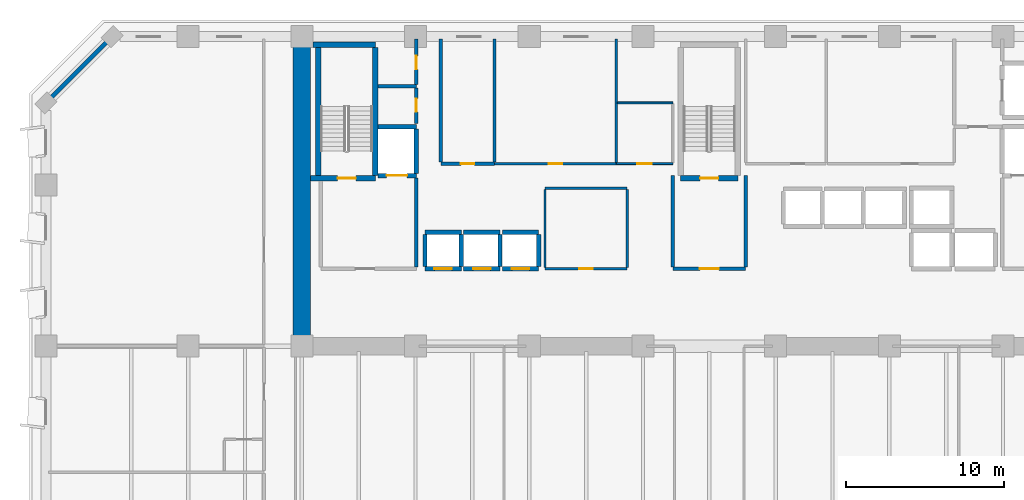
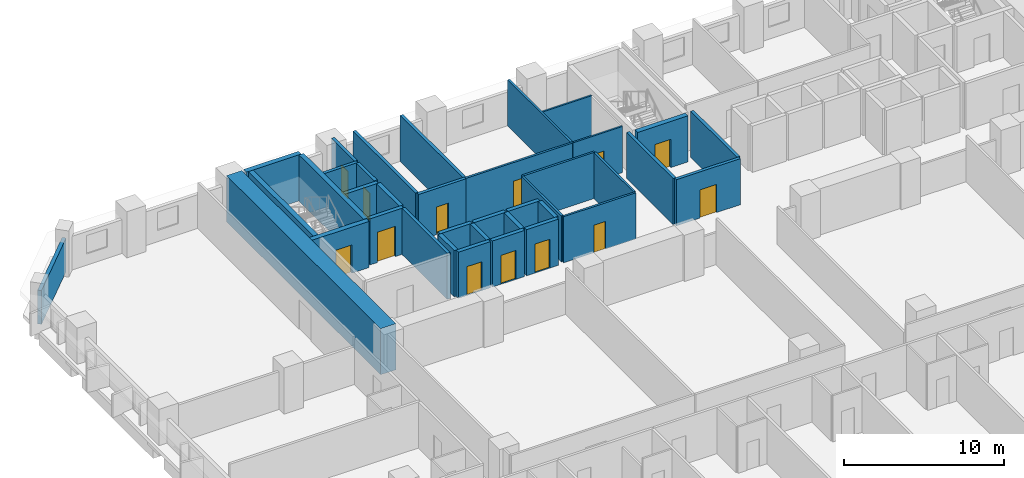
# One storey, part 7 of 15: 38 walls, 13 doors, 13 openings.
"""IFC4 building model written with IfcOpenShell, lengths in metres."""

from ifc_helpers import new_model, si_unit, direction, frame, frame_2d, origin, place, context, subcontext, project, spatial, rectangle, extrude, material, layer, layer_set, type_object, element, fill, save


model = new_model("IFC4")

# Units and contexts
model_context = context("Model", 3, precision=1e-05, world=origin(), true_north=direction((0.0, 1.0)))
body_context = subcontext(model_context, "Body", "Model", "MODEL_VIEW")
ifc_project = project(units=[si_unit("LENGTHUNIT", "METRE"), si_unit("AREAUNIT", "SQUARE_METRE"), si_unit("VOLUMEUNIT", "CUBIC_METRE"), si_unit("PLANEANGLEUNIT", "RADIAN"), si_unit("MASSUNIT", "GRAM", prefix="KILO")], contexts=[model_context])

# Site, building, storey
site_placement = place(None, origin())
site = spatial("IfcSite", under=ifc_project, at=site_placement, CompositionType="ELEMENT")
building_placement = place(site_placement, origin())
building = spatial("IfcBuilding", under=site, at=building_placement, Name="Kaelvorn Grand Hotel", CompositionType="ELEMENT")
storey_placement = place(building_placement, frame((0.0, 0.0, 53.89990234375)))
storey = spatial("IfcBuildingStorey", under=building, at=storey_placement, Name="L11", CompositionType="ELEMENT", Elevation=53.89990234375)

# Walls
ifc_material_1 = material(Name="Concrete C80/95", Category="concrete")
ifc_layer_1 = layer(ifc_material_1, 1.10009765625)
ifc_layer_set_1 = layer_set([ifc_layer_1], Name="Concrete C80/95")
wall_type_1 = type_object("IfcWallType", Name="WL-CORE-1100-C80", PredefinedType="SHEAR", material=ifc_layer_set_1)
wall_1_placement = place(storey_placement, frame((16.199951171875, 29.39990234375, 0.0), z_axis=(0.0, 0.0, 1.0), x_axis=(0.0, 1.0, 0.0)))
element("IfcWall", 1, at=wall_1_placement, inside=storey, type_object=wall_type_1, Name="L11 Rear-Core West Shear Wall", PredefinedType="SHEAR", context=body_context, shape_type="SweptSolid", body=[
    extrude(rectangle(XDim=19.2001953125, YDim=1.10009765625, at=frame_2d((9.60009765625, 0.0))), origin(), (0.0, 0.0, 1.0), 3.510009765625),
])
ifc_material_2 = material(Name="Concrete C40/50", Category="concrete")
ifc_layer_2 = layer(ifc_material_2, 0.260009765625)
ifc_layer_set_2 = layer_set([ifc_layer_2], Name="Concrete C40/50")
wall_type_2 = type_object("IfcWallType", Name="WL-EXT-260-C40", PredefinedType="SOLIDWALL", material=ifc_layer_set_2)
wall_2_placement = place(storey_placement, frame((4.199951171875, 49.0, 0.0), z_axis=(0.0, 0.0, 1.0), x_axis=(-0.707106781187, -0.707106781187, 0.0)))
element("IfcWall", 2, at=wall_2_placement, inside=storey, type_object=wall_type_2, Name="L11 Exterior Architectural Concrete Wall 06", PredefinedType="SOLIDWALL", context=body_context, shape_type="SweptSolid", body=[
    extrude(rectangle(XDim=5.939697265625, YDim=0.260009765625, at=frame_2d((2.9697265625, 0.0))), origin(), (0.0, 0.0, 1.0), 2.56005859375),
])

# Wall, opening, door
ifc_material_3 = material(Name="Moisture-Resistant Tile & Stud Board")
ifc_layer_3 = layer(ifc_material_3, 0.125)
ifc_layer_set_3 = layer_set([ifc_layer_3], Name="Moisture-Resistant Tile & Stud Board")
wall_type_3 = type_object("IfcWallType", Name="WL-PART-125-WET", PredefinedType="PARTITIONING", material=ifc_layer_set_3)
wall_3_placement = place(storey_placement, frame((36.110107421875, 40.949951171875, 0.0), z_axis=(0.0, 0.0, 1.0), x_axis=(1.0, 0.0, 0.0)))
wall_3 = element("IfcWall", 3, at=wall_3_placement, inside=storey, type_object=wall_type_3, Name="L11 Accessible WC S Partition", PredefinedType="PARTITIONING", context=body_context, shape_type="SweptSolid", body=[
    extrude(rectangle(XDim=3.58984375, YDim=0.125, at=frame_2d((1.794921875, 0.0))), origin(), (0.0, 0.0, 1.0), 3.510009765625),
])
opening_1_placement = place(wall_3_placement, frame((1.340087890625, 0.0, 0.0)))
opening_1 = element("IfcOpeningElement", 4, at=opening_1_placement, cuts=wall_3, Name="Opening DI4", PredefinedType="OPENING", context=body_context, shape_type="SweptSolid", body=[
    extrude(rectangle(XDim=0.89990234375, YDim=2.10009765625, at=frame_2d((0.449951171875, 1.050048828125))), frame((0.0, 0.072509765625, 0.0), z_axis=(0.0, -1.0, 0.0), x_axis=(1.0, 0.0, 0.0)), (0.0, 0.0, 1.0), 0.14501953125),
])
ifc_material_4 = material(Name="Timber Veneer Leaf", Category="wood")
door_type_1 = type_object("IfcDoorType", Name="DR-INT-BATH-900x2100", OperationType="NOTDEFINED", PredefinedType="DOOR", material=ifc_material_4)
door_1_placement = place(opening_1_placement, origin())
door_1 = element("IfcDoor", 5, at=door_1_placement, inside=storey, type_object=door_type_1, Name="L11 Accessible WC Door", OperationType="SINGLE_SWING_RIGHT", OverallHeight=2.10009765625, OverallWidth=0.89990234375, PredefinedType="DOOR", context=body_context, shape_type="SweptSolid", body=[
    extrude(rectangle(XDim=0.89990234375, YDim=2.10009765625, at=frame_2d((0.449951171875, 1.050048828125))), frame((0.0, 0.02490234375, 0.0), z_axis=(0.0, -1.0, 0.0), x_axis=(1.0, 0.0, 0.0)), (0.0, 0.0, 1.0), 0.050048828125),
])
fill(opening_1, door_1)

# Wall
wall_4_placement = place(storey_placement, frame((36.179931640625, 44.800048828125, 0.0), z_axis=(0.0, 0.0, 1.0), x_axis=(1.0, 0.0, 0.0)))
element("IfcWall", 6, at=wall_4_placement, inside=storey, type_object=wall_type_3, Name="L11 Accessible WC N Partition", PredefinedType="PARTITIONING", context=body_context, shape_type="SweptSolid", body=[
    extrude(rectangle(XDim=3.52001953125, YDim=0.125, at=frame_2d((1.760009765625, 0.0))), origin(), (0.0, 0.0, 1.0), 3.510009765625),
])

# Wall, opening, door
ifc_material_5 = material(Name="Acoustic Gypsum & Stud Partition")
ifc_layer_4 = layer(ifc_material_5, 0.14990234375)
ifc_layer_set_4 = layer_set([ifc_layer_4], Name="Acoustic Gypsum & Stud Partition")
wall_type_4 = type_object("IfcWallType", Name="WL-PART-150-EI60", PredefinedType="PARTITIONING", material=ifc_layer_set_4)
wall_5_placement = place(storey_placement, frame((31.60009765625, 34.300048828125, 0.0), z_axis=(0.0, 0.0, 1.0), x_axis=(1.0, 0.0, 0.0)))
wall_5 = element("IfcWall", 7, at=wall_5_placement, inside=storey, type_object=wall_type_4, Name="L11 Core Telecoms & BMS Server Room S Partition", PredefinedType="PARTITIONING", context=body_context, shape_type="SweptSolid", body=[
    extrude(rectangle(XDim=5.199951171875, YDim=0.14990234375, at=frame_2d((2.60009765625, 0.0))), origin(), (0.0, 0.0, 1.0), 3.510009765625),
])
opening_2_placement = place(wall_5_placement, frame((2.175048828125, 0.0, 0.0)))
opening_2 = element("IfcOpeningElement", 8, at=opening_2_placement, cuts=wall_5, Name="Opening DI7", PredefinedType="OPENING", context=body_context, shape_type="SweptSolid", body=[
    extrude(rectangle(XDim=0.85009765625, YDim=2.10009765625, at=frame_2d((0.425048828125, 1.050048828125))), frame((0.0, 0.0849609375, 0.0), z_axis=(0.0, -1.0, 0.0), x_axis=(1.0, 0.0, 0.0)), (0.0, 0.0, 1.0), 0.169921875),
])
ifc_material_6 = material(Name="Powder-Coated Steel Leaf", Category="steel")
door_type_2 = type_object("IfcDoorType", Name="DR-INT-RISER-850x2100", OperationType="NOTDEFINED", PredefinedType="DOOR", material=ifc_material_6)
door_2_placement = place(opening_2_placement, origin())
door_2 = element("IfcDoor", 9, at=door_2_placement, inside=storey, type_object=door_type_2, Name="L11 Core Telecoms & BMS Server Room Door", OperationType="SINGLE_SWING_LEFT", OverallHeight=2.10009765625, OverallWidth=0.85009765625, PredefinedType="DOOR", context=body_context, shape_type="SweptSolid", body=[
    extrude(rectangle(XDim=0.85009765625, YDim=2.10009765625, at=frame_2d((0.425048828125, 1.050048828125))), frame((0.0, 0.02490234375, 0.0), z_axis=(0.0, -1.0, 0.0), x_axis=(1.0, 0.0, 0.0)), (0.0, 0.0, 1.0), 0.050048828125),
])
fill(opening_2, door_2)

# Walls
wall_6_placement = place(storey_placement, frame((31.60009765625, 39.39990234375, 0.0), z_axis=(0.0, 0.0, 1.0), x_axis=(1.0, 0.0, 0.0)))
element("IfcWall", 10, at=wall_6_placement, inside=storey, type_object=wall_type_4, Name="L11 Core Telecoms & BMS Server Room N Partition", PredefinedType="PARTITIONING", context=body_context, shape_type="SweptSolid", body=[
    extrude(rectangle(XDim=5.199951171875, YDim=0.14990234375, at=frame_2d((2.60009765625, 0.0))), origin(), (0.0, 0.0, 1.0), 3.510009765625),
])
for number, where, z_axis, x_axis, name in (
    (11, (31.60009765625, 34.3798828125, 0.0), (0.0, 0.0, 1.0), (0.0, 1.0, 0.0), "L11 Core Telecoms & BMS Server Room W Partition"),
    (12, (36.800048828125, 34.3798828125, 0.0), (0.0, 0.0, 1.0), (0.0, 1.0, 0.0), "L11 Core Telecoms & BMS Server Room E Partition"),
):
    element("IfcWall", number, at=place(storey_placement, frame(where, z_axis=z_axis, x_axis=x_axis)), inside=storey, type_object=wall_type_4, Name=name, PredefinedType="PARTITIONING", context=body_context, shape_type="SweptSolid", body=[
        extrude(rectangle(XDim=4.940185546875, YDim=0.14990234375, at=frame_2d((2.47021484375, 0.0))), origin(), (0.0, 0.0, 1.0), 3.510009765625),
    ])

# Wall, opening, door
wall_7_placement = place(storey_placement, frame((28.409912109375, 40.949951171875, 0.0), z_axis=(0.0, 0.0, 1.0), x_axis=(1.0, 0.0, 0.0)))
wall_7 = element("IfcWall", 13, at=wall_7_placement, inside=storey, type_object=wall_type_4, Name="L11 Housekeeping & Linen Room S Partition", PredefinedType="PARTITIONING", context=body_context, shape_type="SweptSolid", body=[
    extrude(rectangle(XDim=7.690185546875, YDim=0.14990234375, at=frame_2d((3.84521484375, 0.0))), origin(), (0.0, 0.0, 1.0), 3.510009765625),
])
opening_3_placement = place(wall_7_placement, frame((3.4150390625, 0.0, 0.0)))
opening_3 = element("IfcOpeningElement", 14, at=opening_3_placement, cuts=wall_7, Name="Opening DI7", PredefinedType="OPENING", context=body_context, shape_type="SweptSolid", body=[
    extrude(rectangle(XDim=0.85009765625, YDim=2.10009765625, at=frame_2d((0.425048828125, 1.050048828125))), frame((0.0, 0.0849609375, 0.0), z_axis=(0.0, -1.0, 0.0), x_axis=(1.0, 0.0, 0.0)), (0.0, 0.0, 1.0), 0.169921875),
])
door_3_placement = place(opening_3_placement, origin())
door_3 = element("IfcDoor", 15, at=door_3_placement, inside=storey, type_object=door_type_2, Name="L11 Housekeeping & Linen Room Door", OperationType="SINGLE_SWING_LEFT", OverallHeight=2.10009765625, OverallWidth=0.85009765625, PredefinedType="DOOR", context=body_context, shape_type="SweptSolid", body=[
    extrude(rectangle(XDim=0.85009765625, YDim=2.10009765625, at=frame_2d((0.425048828125, 1.050048828125))), frame((0.0, 0.02490234375, 0.0), z_axis=(0.0, -1.0, 0.0), x_axis=(1.0, 0.0, 0.0)), (0.0, 0.0, 1.0), 0.050048828125),
])
fill(opening_3, door_3)

# Walls
wall_8_placement = place(storey_placement, frame((36.10009765625, 41.030029296875, 0.0), z_axis=(0.0, 0.0, 1.0), x_axis=(0.0, 1.0, 0.0)))
element("IfcWall", 16, at=wall_8_placement, inside=storey, type_object=wall_type_4, Name="L11 Housekeeping & Linen Room E Partition", PredefinedType="PARTITIONING", context=body_context, shape_type="SweptSolid", body=[
    extrude(rectangle(XDim=7.820068359375, YDim=0.14990234375, at=frame_2d((3.91015625, 0.0))), origin(), (0.0, 0.0, 1.0), 3.510009765625),
])
ifc_layer_5 = layer(ifc_material_2, 0.219970703125)
ifc_layer_set_5 = layer_set([ifc_layer_5], Name="Concrete C40/50")
wall_type_5 = type_object("IfcWallType", Name="WL-PART-220-EI120", PredefinedType="PARTITIONING", material=ifc_layer_set_5)
wall_9_placement = place(storey_placement, frame((23.449951171875, 34.4150390625, 0.0), z_axis=(0.0, 0.0, 1.0), x_axis=(0.0, 1.0, 0.0)))
element("IfcWall", 17, at=wall_9_placement, inside=storey, type_object=wall_type_5, Name="L11 Firefighting Lift Lobby 1 E Partition", PredefinedType="PARTITIONING", context=body_context, shape_type="SweptSolid", body=[
    extrude(rectangle(XDim=5.639892578125, YDim=0.219970703125, at=frame_2d((2.81982421875, 0.0))), origin(), (0.0, 0.0, 1.0), 3.510009765625),
])

# Wall, opening, door
wall_10_placement = place(storey_placement, frame((39.699951171875, 34.300048828125, 0.0), z_axis=(0.0, 0.0, 1.0), x_axis=(1.0, 0.0, 0.0)))
wall_10 = element("IfcWall", 18, at=wall_10_placement, inside=storey, type_object=wall_type_5, Name="L11 Central Stair Escape Vestibule S Partition", PredefinedType="PARTITIONING", context=body_context, shape_type="SweptSolid", body=[
    extrude(rectangle(XDim=4.60009765625, YDim=0.219970703125, at=frame_2d((2.300048828125, 0.0))), origin(), (0.0, 0.0, 1.0), 3.510009765625),
])
opening_4_placement = place(wall_10_placement, frame((1.699951171875, 0.0, 0.0)))
opening_4 = element("IfcOpeningElement", 19, at=opening_4_placement, cuts=wall_10, Name="Opening DI2", PredefinedType="OPENING", context=body_context, shape_type="SweptSolid", body=[
    extrude(rectangle(XDim=1.199951171875, YDim=2.14990234375, at=frame_2d((0.60009765625, 1.074951171875))), frame((0.0, 0.1201171875, 0.0), z_axis=(0.0, -1.0, 0.0), x_axis=(1.0, 0.0, 0.0)), (0.0, 0.0, 1.0), 0.239990234375),
])
ifc_material_7 = material(Name="Timber Veneer Fire Leaf", Category="wood")
door_type_3 = type_object("IfcDoorType", Name="DR-INT-FFLOB-1200x2150", OperationType="NOTDEFINED", PredefinedType="DOOR", material=ifc_material_7)
door_4_placement = place(opening_4_placement, origin())
door_4 = element("IfcDoor", 20, at=door_4_placement, inside=storey, type_object=door_type_3, Name="L11 Central Stair Escape Vestibule Door", OperationType="SINGLE_SWING_LEFT", OverallHeight=2.14990234375, OverallWidth=1.199951171875, PredefinedType="DOOR", context=body_context, shape_type="SweptSolid", body=[
    extrude(rectangle(XDim=1.199951171875, YDim=2.14990234375, at=frame_2d((0.60009765625, 1.074951171875))), frame((0.0, 0.02490234375, 0.0), z_axis=(0.0, -1.0, 0.0), x_axis=(1.0, 0.0, 0.0)), (0.0, 0.0, 1.0), 0.050048828125),
])
fill(opening_4, door_4)

# Walls
for number, where, z_axis, x_axis, name in (
    (21, (39.699951171875, 34.4150390625, 0.0), (0.0, 0.0, 1.0), (0.0, 1.0, 0.0), "L11 Central Stair Escape Vestibule W Partition"),
    (22, (44.300048828125, 34.4150390625, 0.0), (0.0, 0.0, 1.0), (0.0, 1.0, 0.0), "L11 Central Stair Escape Vestibule E Partition"),
):
    element("IfcWall", number, at=place(storey_placement, frame(where, z_axis=z_axis, x_axis=x_axis)), inside=storey, type_object=wall_type_5, Name=name, PredefinedType="PARTITIONING", context=body_context, shape_type="SweptSolid", body=[
        extrude(rectangle(XDim=5.784912109375, YDim=0.219970703125, at=frame_2d((2.892578125, 0.0))), origin(), (0.0, 0.0, 1.0), 3.510009765625),
    ])
wall_11_placement = place(storey_placement, frame((21.034912109375, 45.85009765625, 0.0), z_axis=(0.0, 0.0, 1.0), x_axis=(1.0, 0.0, 0.0)))
element("IfcWall", 23, at=wall_11_placement, inside=storey, type_object=wall_type_5, Name="L11 Wet Fire & Plumbing Riser Shaft N Partition", PredefinedType="PARTITIONING", context=body_context, shape_type="SweptSolid", body=[
    extrude(rectangle(XDim=2.4150390625, YDim=0.219970703125, at=frame_2d((1.20751953125, 0.0))), origin(), (0.0, 0.0, 1.0), 3.510009765625),
])

# Wall, opening, door
wall_12_placement = place(storey_placement, frame((23.449951171875, 43.5, 0.0), z_axis=(0.0, 0.0, 1.0), x_axis=(0.0, 1.0, 0.0)))
wall_12 = element("IfcWall", 24, at=wall_12_placement, inside=storey, type_object=wall_type_5, Name="L11 Wet Fire & Plumbing Riser Shaft E Partition", PredefinedType="PARTITIONING", context=body_context, shape_type="SweptSolid", body=[
    extrude(rectangle(XDim=2.235107421875, YDim=0.219970703125, at=frame_2d((1.11767578125, 0.0))), origin(), (0.0, 0.0, 1.0), 3.510009765625),
])
opening_5_placement = place(wall_12_placement, frame((0.72509765625, 0.0, 0.0)))
opening_5 = element("IfcOpeningElement", 25, at=opening_5_placement, cuts=wall_12, Name="Opening DI7", PredefinedType="OPENING", context=body_context, shape_type="SweptSolid", body=[
    extrude(rectangle(XDim=0.85009765625, YDim=2.10009765625, at=frame_2d((0.425048828125, 1.050048828125))), frame((0.0, 0.1201171875, 0.0), z_axis=(0.0, -1.0, 0.0), x_axis=(1.0, 0.0, 0.0)), (0.0, 0.0, 1.0), 0.239990234375),
])
door_5_placement = place(opening_5_placement, origin())
door_5 = element("IfcDoor", 26, at=door_5_placement, inside=storey, type_object=door_type_2, Name="L11 Wet Fire & Plumbing Riser Shaft Door", OperationType="SINGLE_SWING_LEFT", OverallHeight=2.10009765625, OverallWidth=0.85009765625, PredefinedType="DOOR", context=body_context, shape_type="SweptSolid", body=[
    extrude(rectangle(XDim=0.85009765625, YDim=2.10009765625, at=frame_2d((0.425048828125, 1.050048828125))), frame((0.0, 0.02490234375, 0.0), z_axis=(0.0, -1.0, 0.0), x_axis=(1.0, 0.0, 0.0)), (0.0, 0.0, 1.0), 0.050048828125),
])
fill(opening_5, door_5)

wall_13_placement = place(storey_placement, frame((23.449951171875, 45.965087890625, 0.0), z_axis=(0.0, 0.0, 1.0), x_axis=(0.0, 1.0, 0.0)))
wall_13 = element("IfcWall", 27, at=wall_13_placement, inside=storey, type_object=wall_type_5, Name="L11 HV Electrical & Smoke Riser E Partition", PredefinedType="PARTITIONING", context=body_context, shape_type="SweptSolid", body=[
    extrude(rectangle(XDim=2.885009765625, YDim=0.219970703125, at=frame_2d((1.4423828125, 0.0))), origin(), (0.0, 0.0, 1.0), 3.510009765625),
])
opening_6_placement = place(wall_13_placement, frame((0.9599609375, 0.0, 0.0)))
opening_6 = element("IfcOpeningElement", 28, at=opening_6_placement, cuts=wall_13, Name="Opening DI7", PredefinedType="OPENING", context=body_context, shape_type="SweptSolid", body=[
    extrude(rectangle(XDim=0.85009765625, YDim=2.10009765625, at=frame_2d((0.425048828125, 1.050048828125))), frame((0.0, 0.1201171875, 0.0), z_axis=(0.0, -1.0, 0.0), x_axis=(1.0, 0.0, 0.0)), (0.0, 0.0, 1.0), 0.239990234375),
])
door_6_placement = place(opening_6_placement, origin())
door_6 = element("IfcDoor", 29, at=door_6_placement, inside=storey, type_object=door_type_2, Name="L11 HV Electrical & Smoke Riser Door", OperationType="SINGLE_SWING_RIGHT", OverallHeight=2.10009765625, OverallWidth=0.85009765625, PredefinedType="DOOR", context=body_context, shape_type="SweptSolid", body=[
    extrude(rectangle(XDim=0.85009765625, YDim=2.10009765625, at=frame_2d((0.425048828125, 1.050048828125))), frame((0.0, 0.02490234375, 0.0), z_axis=(0.0, -1.0, 0.0), x_axis=(1.0, 0.0, 0.0)), (0.0, 0.0, 1.0), 0.050048828125),
])
fill(opening_6, door_6)

wall_14_placement = place(storey_placement, frame((25.0, 40.949951171875, 0.0), z_axis=(0.0, 0.0, 1.0), x_axis=(1.0, 0.0, 0.0)))
wall_14 = element("IfcWall", 30, at=wall_14_placement, inside=storey, type_object=wall_type_5, Name="L11 Electrical Distribution Room S Partition", PredefinedType="PARTITIONING", context=body_context, shape_type="SweptSolid", body=[
    extrude(rectangle(XDim=3.39990234375, YDim=0.219970703125, at=frame_2d((1.699951171875, 0.0))), origin(), (0.0, 0.0, 1.0), 3.510009765625),
])
opening_7_placement = place(wall_14_placement, frame((1.27490234375, 0.0, 0.0)))
opening_7 = element("IfcOpeningElement", 31, at=opening_7_placement, cuts=wall_14, Name="Opening DI7", PredefinedType="OPENING", context=body_context, shape_type="SweptSolid", body=[
    extrude(rectangle(XDim=0.85009765625, YDim=2.10009765625, at=frame_2d((0.425048828125, 1.050048828125))), frame((0.0, 0.1201171875, 0.0), z_axis=(0.0, -1.0, 0.0), x_axis=(1.0, 0.0, 0.0)), (0.0, 0.0, 1.0), 0.239990234375),
])
door_7_placement = place(opening_7_placement, origin())
door_7 = element("IfcDoor", 32, at=door_7_placement, inside=storey, type_object=door_type_2, Name="L11 Electrical Distribution Room Door", OperationType="SINGLE_SWING_RIGHT", OverallHeight=2.10009765625, OverallWidth=0.85009765625, PredefinedType="DOOR", context=body_context, shape_type="SweptSolid", body=[
    extrude(rectangle(XDim=0.85009765625, YDim=2.10009765625, at=frame_2d((0.425048828125, 1.050048828125))), frame((0.0, 0.02490234375, 0.0), z_axis=(0.0, -1.0, 0.0), x_axis=(1.0, 0.0, 0.0)), (0.0, 0.0, 1.0), 0.050048828125),
])
fill(opening_7, door_7)

# Walls
for number, where, z_axis, x_axis, name in (
    (33, (25.0, 41.06494140625, 0.0), (0.0, 0.0, 1.0), (0.0, 1.0, 0.0), "L11 Electrical Distribution Room W Partition"),
    (34, (28.39990234375, 41.06494140625, 0.0), (0.0, 0.0, 1.0), (0.0, 1.0, 0.0), "L11 Electrical Distribution Room E Partition"),
):
    element("IfcWall", number, at=place(storey_placement, frame(where, z_axis=z_axis, x_axis=x_axis)), inside=storey, type_object=wall_type_5, Name=name, PredefinedType="PARTITIONING", context=body_context, shape_type="SweptSolid", body=[
        extrude(rectangle(XDim=7.78515625, YDim=0.219970703125, at=frame_2d((3.892578125, 0.0))), origin(), (0.0, 0.0, 1.0), 3.510009765625),
    ])

# Wall, opening, door
ifc_material_8 = material(Name="Concrete C50/60", Category="concrete")
ifc_layer_6 = layer(ifc_material_8, 0.280029296875)
ifc_layer_set_6 = layer_set([ifc_layer_6], Name="Concrete C50/60")
wall_type_6 = type_object("IfcWallType", Name="WL-SHAFT-280-C50", PredefinedType="SHEAR", material=ifc_layer_set_6)
wall_15_placement = place(storey_placement, frame((24.0, 34.300048828125, 0.0), z_axis=(0.0, 0.0, 1.0), x_axis=(1.0, 0.0, 0.0)))
wall_15 = element("IfcWall", 35, at=wall_15_placement, inside=storey, type_object=wall_type_6, Name="L11 Lift PL-L1 Shaft South Wall", PredefinedType="SHEAR", context=body_context, shape_type="SweptSolid", body=[
    extrude(rectangle(XDim=2.300048828125, YDim=0.280029296875, at=frame_2d((1.14990234375, 0.0))), origin(), (0.0, 0.0, 1.0), 3.510009765625),
])
opening_8_placement = place(wall_15_placement, frame((0.60009765625, 0.0, 0.0)))
opening_8 = element("IfcOpeningElement", 36, at=opening_8_placement, cuts=wall_15, Name="Opening LD-PL-L1", PredefinedType="OPENING", context=body_context, shape_type="SweptSolid", body=[
    extrude(rectangle(XDim=1.10009765625, YDim=2.199951171875, at=frame_2d((0.550048828125, 1.10009765625))), frame((0.0, 0.14990234375, 0.0), z_axis=(0.0, -1.0, 0.0), x_axis=(1.0, 0.0, 0.0)), (0.0, 0.0, 1.0), 0.300048828125),
])
ifc_material_9 = material(Name="Stainless Steel", Category="steel")
door_type_4 = type_object("IfcDoorType", Name="DR-LIFT-PASS-1100x2200", OperationType="DOUBLE_DOOR_SLIDING", PredefinedType="DOOR", material=ifc_material_9)
door_8_placement = place(opening_8_placement, origin())
door_8 = element("IfcDoor", 37, at=door_8_placement, inside=storey, type_object=door_type_4, Name="L11 Lift PL-L1 Sliding Landing Door LD-PL-L1", OperationType="DOUBLE_DOOR_SLIDING", OverallHeight=2.199951171875, OverallWidth=1.10009765625, PredefinedType="DOOR", context=body_context, shape_type="SweptSolid", body=[
    extrude(rectangle(XDim=1.10009765625, YDim=2.199951171875, at=frame_2d((0.550048828125, 1.10009765625))), frame((0.0, 0.02490234375, 0.0), z_axis=(0.0, -1.0, 0.0), x_axis=(1.0, 0.0, 0.0)), (0.0, 0.0, 1.0), 0.050048828125),
])
fill(opening_8, door_8)

# Walls
wall_16_placement = place(storey_placement, frame((24.0, 36.60009765625, 0.0), z_axis=(0.0, 0.0, 1.0), x_axis=(1.0, 0.0, 0.0)))
element("IfcWall", 38, at=wall_16_placement, inside=storey, type_object=wall_type_6, Name="L11 Lift PL-L1 Shaft North Wall", PredefinedType="SHEAR", context=body_context, shape_type="SweptSolid", body=[
    extrude(rectangle(XDim=2.300048828125, YDim=0.280029296875, at=frame_2d((1.14990234375, 0.0))), origin(), (0.0, 0.0, 1.0), 3.510009765625),
])
for number, where, z_axis, x_axis, name in (
    (39, (24.0, 34.445068359375, 0.0), (0.0, 0.0, 1.0), (0.0, 1.0, 0.0), "L11 Lift PL-L1 Shaft West Wall"),
    (40, (26.300048828125, 34.445068359375, 0.0), (0.0, 0.0, 1.0), (0.0, 1.0, 0.0), "L11 Lift PL-L1 Shaft East Wall"),
):
    element("IfcWall", number, at=place(storey_placement, frame(where, z_axis=z_axis, x_axis=x_axis)), inside=storey, type_object=wall_type_6, Name=name, PredefinedType="SHEAR", context=body_context, shape_type="SweptSolid", body=[
        extrude(rectangle(XDim=2.010009765625, YDim=0.280029296875, at=frame_2d((1.0048828125, 0.0))), origin(), (0.0, 0.0, 1.0), 3.510009765625),
    ])

# Wall, opening, door
wall_17_placement = place(storey_placement, frame((26.449951171875, 34.300048828125, 0.0), z_axis=(0.0, 0.0, 1.0), x_axis=(1.0, 0.0, 0.0)))
wall_17 = element("IfcWall", 41, at=wall_17_placement, inside=storey, type_object=wall_type_6, Name="L11 Lift PL-L2 Shaft South Wall", PredefinedType="SHEAR", context=body_context, shape_type="SweptSolid", body=[
    extrude(rectangle(XDim=2.300048828125, YDim=0.280029296875, at=frame_2d((1.14990234375, 0.0))), origin(), (0.0, 0.0, 1.0), 3.510009765625),
])
opening_9_placement = place(wall_17_placement, frame((0.60009765625, 0.0, 0.0)))
opening_9 = element("IfcOpeningElement", 42, at=opening_9_placement, cuts=wall_17, Name="Opening LD-PL-L2", PredefinedType="OPENING", context=body_context, shape_type="SweptSolid", body=[
    extrude(rectangle(XDim=1.10009765625, YDim=2.199951171875, at=frame_2d((0.550048828125, 1.10009765625))), frame((0.0, 0.14990234375, 0.0), z_axis=(0.0, -1.0, 0.0), x_axis=(1.0, 0.0, 0.0)), (0.0, 0.0, 1.0), 0.300048828125),
])
door_9_placement = place(opening_9_placement, origin())
door_9 = element("IfcDoor", 43, at=door_9_placement, inside=storey, type_object=door_type_4, Name="L11 Lift PL-L2 Sliding Landing Door LD-PL-L2", OperationType="DOUBLE_DOOR_SLIDING", OverallHeight=2.199951171875, OverallWidth=1.10009765625, PredefinedType="DOOR", context=body_context, shape_type="SweptSolid", body=[
    extrude(rectangle(XDim=1.10009765625, YDim=2.199951171875, at=frame_2d((0.550048828125, 1.10009765625))), frame((0.0, 0.02490234375, 0.0), z_axis=(0.0, -1.0, 0.0), x_axis=(1.0, 0.0, 0.0)), (0.0, 0.0, 1.0), 0.050048828125),
])
fill(opening_9, door_9)

# Walls
wall_18_placement = place(storey_placement, frame((26.449951171875, 36.60009765625, 0.0), z_axis=(0.0, 0.0, 1.0), x_axis=(1.0, 0.0, 0.0)))
element("IfcWall", 44, at=wall_18_placement, inside=storey, type_object=wall_type_6, Name="L11 Lift PL-L2 Shaft North Wall", PredefinedType="SHEAR", context=body_context, shape_type="SweptSolid", body=[
    extrude(rectangle(XDim=2.300048828125, YDim=0.280029296875, at=frame_2d((1.14990234375, 0.0))), origin(), (0.0, 0.0, 1.0), 3.510009765625),
])
wall_19_placement = place(storey_placement, frame((28.75, 34.445068359375, 0.0), z_axis=(0.0, 0.0, 1.0), x_axis=(0.0, 1.0, 0.0)))
element("IfcWall", 45, at=wall_19_placement, inside=storey, type_object=wall_type_6, Name="L11 Lift PL-L2 Shaft East Wall", PredefinedType="SHEAR", context=body_context, shape_type="SweptSolid", body=[
    extrude(rectangle(XDim=2.010009765625, YDim=0.280029296875, at=frame_2d((1.0048828125, 0.0))), origin(), (0.0, 0.0, 1.0), 3.510009765625),
])

# Wall, opening, door
wall_20_placement = place(storey_placement, frame((28.89990234375, 34.300048828125, 0.0), z_axis=(0.0, 0.0, 1.0), x_axis=(1.0, 0.0, 0.0)))
wall_20 = element("IfcWall", 46, at=wall_20_placement, inside=storey, type_object=wall_type_6, Name="L11 Lift PL-L3 Shaft South Wall", PredefinedType="SHEAR", context=body_context, shape_type="SweptSolid", body=[
    extrude(rectangle(XDim=2.300048828125, YDim=0.280029296875, at=frame_2d((1.14990234375, 0.0))), origin(), (0.0, 0.0, 1.0), 3.510009765625),
])
opening_10_placement = place(wall_20_placement, frame((0.60009765625, 0.0, 0.0)))
opening_10 = element("IfcOpeningElement", 47, at=opening_10_placement, cuts=wall_20, Name="Opening LD-PL-L3", PredefinedType="OPENING", context=body_context, shape_type="SweptSolid", body=[
    extrude(rectangle(XDim=1.10009765625, YDim=2.199951171875, at=frame_2d((0.550048828125, 1.10009765625))), frame((0.0, 0.14990234375, 0.0), z_axis=(0.0, -1.0, 0.0), x_axis=(1.0, 0.0, 0.0)), (0.0, 0.0, 1.0), 0.300048828125),
])
door_10_placement = place(opening_10_placement, origin())
door_10 = element("IfcDoor", 48, at=door_10_placement, inside=storey, type_object=door_type_4, Name="L11 Lift PL-L3 Sliding Landing Door LD-PL-L3", OperationType="DOUBLE_DOOR_SLIDING", OverallHeight=2.199951171875, OverallWidth=1.10009765625, PredefinedType="DOOR", context=body_context, shape_type="SweptSolid", body=[
    extrude(rectangle(XDim=1.10009765625, YDim=2.199951171875, at=frame_2d((0.550048828125, 1.10009765625))), frame((0.0, 0.02490234375, 0.0), z_axis=(0.0, -1.0, 0.0), x_axis=(1.0, 0.0, 0.0)), (0.0, 0.0, 1.0), 0.050048828125),
])
fill(opening_10, door_10)

# Walls
wall_21_placement = place(storey_placement, frame((28.89990234375, 36.60009765625, 0.0), z_axis=(0.0, 0.0, 1.0), x_axis=(1.0, 0.0, 0.0)))
element("IfcWall", 49, at=wall_21_placement, inside=storey, type_object=wall_type_6, Name="L11 Lift PL-L3 Shaft North Wall", PredefinedType="SHEAR", context=body_context, shape_type="SweptSolid", body=[
    extrude(rectangle(XDim=2.300048828125, YDim=0.280029296875, at=frame_2d((1.14990234375, 0.0))), origin(), (0.0, 0.0, 1.0), 3.510009765625),
])
wall_22_placement = place(storey_placement, frame((31.199951171875, 34.445068359375, 0.0), z_axis=(0.0, 0.0, 1.0), x_axis=(0.0, 1.0, 0.0)))
element("IfcWall", 50, at=wall_22_placement, inside=storey, type_object=wall_type_6, Name="L11 Lift PL-L3 Shaft East Wall", PredefinedType="SHEAR", context=body_context, shape_type="SweptSolid", body=[
    extrude(rectangle(XDim=2.010009765625, YDim=0.280029296875, at=frame_2d((1.0048828125, 0.0))), origin(), (0.0, 0.0, 1.0), 3.510009765625),
])

# Wall, opening, door
wall_23_placement = place(storey_placement, frame((21.034912109375, 40.199951171875, 0.0), z_axis=(0.0, 0.0, 1.0), x_axis=(1.0, 0.0, 0.0)))
wall_23 = element("IfcWall", 51, at=wall_23_placement, inside=storey, type_object=wall_type_6, Name="L11 Lift FFL1 Shaft South Wall", PredefinedType="SHEAR", context=body_context, shape_type="SweptSolid", body=[
    extrude(rectangle(XDim=2.4150390625, YDim=0.280029296875, at=frame_2d((1.20751953125, 0.0))), origin(), (0.0, 0.0, 1.0), 3.510009765625),
])
opening_11_placement = place(wall_23_placement, frame((0.5400390625, 0.0, 0.0)))
opening_11 = element("IfcOpeningElement", 52, at=opening_11_placement, cuts=wall_23, Name="Opening LD-FFL1", PredefinedType="OPENING", context=body_context, shape_type="SweptSolid", body=[
    extrude(rectangle(XDim=1.300048828125, YDim=2.300048828125, at=frame_2d((0.64990234375, 1.14990234375))), frame((0.0, 0.14990234375, 0.0), z_axis=(0.0, -1.0, 0.0), x_axis=(1.0, 0.0, 0.0)), (0.0, 0.0, 1.0), 0.300048828125),
])
door_type_5 = type_object("IfcDoorType", Name="DR-LIFT-SERV-1300x2300", OperationType="DOUBLE_DOOR_SLIDING", PredefinedType="DOOR", material=ifc_material_9)
door_11_placement = place(opening_11_placement, origin())
door_11 = element("IfcDoor", 53, at=door_11_placement, inside=storey, type_object=door_type_5, Name="L11 Lift FFL1 Sliding Landing Door LD-FFL1", OperationType="DOUBLE_DOOR_SLIDING", OverallHeight=2.300048828125, OverallWidth=1.300048828125, PredefinedType="DOOR", context=body_context, shape_type="SweptSolid", body=[
    extrude(rectangle(XDim=1.300048828125, YDim=2.300048828125, at=frame_2d((0.64990234375, 1.14990234375))), frame((0.0, 0.02490234375, 0.0), z_axis=(0.0, -1.0, 0.0), x_axis=(1.0, 0.0, 0.0)), (0.0, 0.0, 1.0), 0.050048828125),
])
fill(opening_11, door_11)

# Walls
wall_24_placement = place(storey_placement, frame((21.034912109375, 43.300048828125, 0.0), z_axis=(0.0, 0.0, 1.0), x_axis=(1.0, 0.0, 0.0)))
element("IfcWall", 54, at=wall_24_placement, inside=storey, type_object=wall_type_6, Name="L11 Lift FFL1 Shaft North Wall", PredefinedType="SHEAR", context=body_context, shape_type="SweptSolid", body=[
    extrude(rectangle(XDim=2.4150390625, YDim=0.280029296875, at=frame_2d((1.20751953125, 0.0))), origin(), (0.0, 0.0, 1.0), 3.510009765625),
])
wall_25_placement = place(storey_placement, frame((23.449951171875, 40.344970703125, 0.0), z_axis=(0.0, 0.0, 1.0), x_axis=(0.0, 1.0, 0.0)))
element("IfcWall", 55, at=wall_25_placement, inside=storey, type_object=wall_type_6, Name="L11 Lift FFL1 Shaft East Wall", PredefinedType="SHEAR", context=body_context, shape_type="SweptSolid", body=[
    extrude(rectangle(XDim=2.81005859375, YDim=0.280029296875, at=frame_2d((1.405029296875, 0.0))), origin(), (0.0, 0.0, 1.0), 3.510009765625),
])

# Wall, opening, door
ifc_material_10 = material(Name="Concrete C60/75", Category="concrete")
ifc_layer_7 = layer(ifc_material_10, 0.35009765625)
ifc_layer_set_7 = layer_set([ifc_layer_7], Name="Concrete C60/75")
wall_type_7 = type_object("IfcWallType", Name="WL-SHAFT-350-C60", PredefinedType="SHEAR", material=ifc_layer_set_7)
wall_26_placement = place(storey_placement, frame((16.7548828125, 40.02490234375, 0.0), z_axis=(0.0, 0.0, 1.0), x_axis=(1.0, 0.0, 0.0)))
wall_26 = element("IfcWall", 56, at=wall_26_placement, inside=storey, type_object=wall_type_7, Name="L11 ST1 Stair Shaft South Wall", PredefinedType="SHEAR", context=body_context, shape_type="SweptSolid", body=[
    extrude(rectangle(XDim=4.10009765625, YDim=0.35009765625, at=frame_2d((2.050048828125, 0.0))), origin(), (0.0, 0.0, 1.0), 3.510009765625),
])
opening_12_placement = place(wall_26_placement, frame((1.7099609375, 0.0, 0.0)))
opening_12 = element("IfcOpeningElement", 57, at=opening_12_placement, cuts=wall_26, Name="Opening DI1", PredefinedType="OPENING", context=body_context, shape_type="SweptSolid", body=[
    extrude(rectangle(XDim=1.14990234375, YDim=2.14990234375, at=frame_2d((0.574951171875, 1.074951171875))), frame((0.0, 0.18505859375, 0.0), z_axis=(0.0, -1.0, 0.0), x_axis=(1.0, 0.0, 0.0)), (0.0, 0.0, 1.0), 0.3701171875),
])
door_type_6 = type_object("IfcDoorType", Name="DR-INT-STAIR-1150x2150", OperationType="NOTDEFINED", PredefinedType="DOOR", material=ifc_material_7)
door_12_placement = place(opening_12_placement, origin())
door_12 = element("IfcDoor", 58, at=door_12_placement, inside=storey, type_object=door_type_6, Name="L11 ST1 Exit Stair Fire Door", OperationType="SINGLE_SWING_RIGHT", OverallHeight=2.14990234375, OverallWidth=1.14990234375, PredefinedType="DOOR", context=body_context, shape_type="SweptSolid", body=[
    extrude(rectangle(XDim=1.14990234375, YDim=2.14990234375, at=frame_2d((0.574951171875, 1.074951171875))), frame((0.0, 0.02490234375, 0.0), z_axis=(0.0, -1.0, 0.0), x_axis=(1.0, 0.0, 0.0)), (0.0, 0.0, 1.0), 0.050048828125),
])
fill(opening_12, door_12)

# Walls
wall_27_placement = place(storey_placement, frame((16.905029296875, 48.47509765625, 0.0), z_axis=(0.0, 0.0, 1.0), x_axis=(1.0, 0.0, 0.0)))
element("IfcWall", 59, at=wall_27_placement, inside=storey, type_object=wall_type_7, Name="L11 ST1 Stair Shaft North Wall", PredefinedType="SHEAR", context=body_context, shape_type="SweptSolid", body=[
    extrude(rectangle(XDim=3.949951171875, YDim=0.35009765625, at=frame_2d((1.97509765625, 0.0))), origin(), (0.0, 0.0, 1.0), 3.510009765625),
])
for number, where, z_axis, x_axis, name in (
    (60, (17.22509765625, 40.205078125, 0.0), (0.0, 0.0, 1.0), (0.0, 1.0, 0.0), "L11 ST1 Stair Shaft West Wall"),
    (61, (20.85498046875, 40.205078125, 0.0), (0.0, 0.0, 1.0), (0.0, 1.0, 0.0), "L11 ST1 Stair Shaft East Wall"),
):
    element("IfcWall", number, at=place(storey_placement, frame(where, z_axis=z_axis, x_axis=x_axis)), inside=storey, type_object=wall_type_7, Name=name, PredefinedType="SHEAR", context=body_context, shape_type="SweptSolid", body=[
        extrude(rectangle(XDim=8.08984375, YDim=0.35009765625, at=frame_2d((4.044921875, 0.0))), origin(), (0.0, 0.0, 1.0), 3.510009765625),
    ])

# Wall, opening, door
wall_28_placement = place(storey_placement, frame((40.18505859375, 40.02490234375, 0.0), z_axis=(0.0, 0.0, 1.0), x_axis=(1.0, 0.0, 0.0)))
wall_28 = element("IfcWall", 62, at=wall_28_placement, inside=storey, type_object=wall_type_7, Name="L11 ST2 Stair Shaft South Wall", PredefinedType="SHEAR", context=body_context, shape_type="SweptSolid", body=[
    extrude(rectangle(XDim=3.6298828125, YDim=0.35009765625, at=frame_2d((1.81494140625, 0.0))), origin(), (0.0, 0.0, 1.0), 3.510009765625),
])
opening_13_placement = place(wall_28_placement, frame((1.239990234375, 0.0, 0.0)))
opening_13 = element("IfcOpeningElement", 63, at=opening_13_placement, cuts=wall_28, Name="Opening DI1", PredefinedType="OPENING", context=body_context, shape_type="SweptSolid", body=[
    extrude(rectangle(XDim=1.14990234375, YDim=2.14990234375, at=frame_2d((0.574951171875, 1.074951171875))), frame((0.0, 0.18505859375, 0.0), z_axis=(0.0, -1.0, 0.0), x_axis=(1.0, 0.0, 0.0)), (0.0, 0.0, 1.0), 0.3701171875),
])
door_13_placement = place(opening_13_placement, origin())
door_13 = element("IfcDoor", 64, at=door_13_placement, inside=storey, type_object=door_type_6, Name="L11 ST2 Exit Stair Fire Door", OperationType="SINGLE_SWING_LEFT", OverallHeight=2.14990234375, OverallWidth=1.14990234375, PredefinedType="DOOR", context=body_context, shape_type="SweptSolid", body=[
    extrude(rectangle(XDim=1.14990234375, YDim=2.14990234375, at=frame_2d((0.574951171875, 1.074951171875))), frame((0.0, 0.02490234375, 0.0), z_axis=(0.0, -1.0, 0.0), x_axis=(1.0, 0.0, 0.0)), (0.0, 0.0, 1.0), 0.050048828125),
])
fill(opening_13, door_13)

save(model, "model.ifc")
